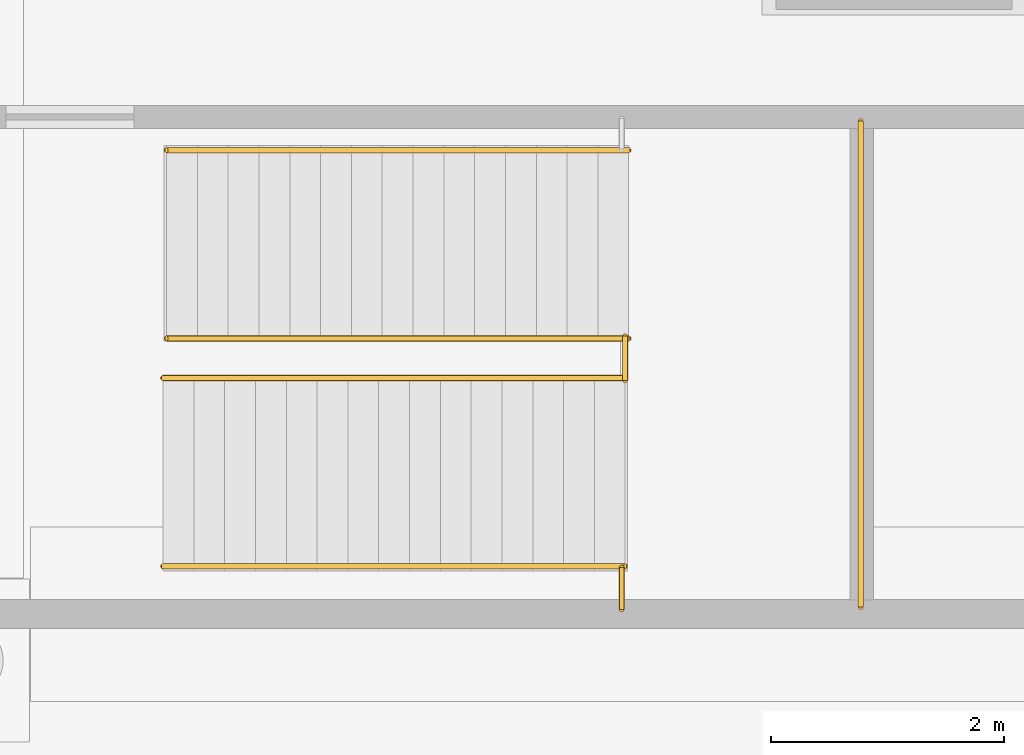
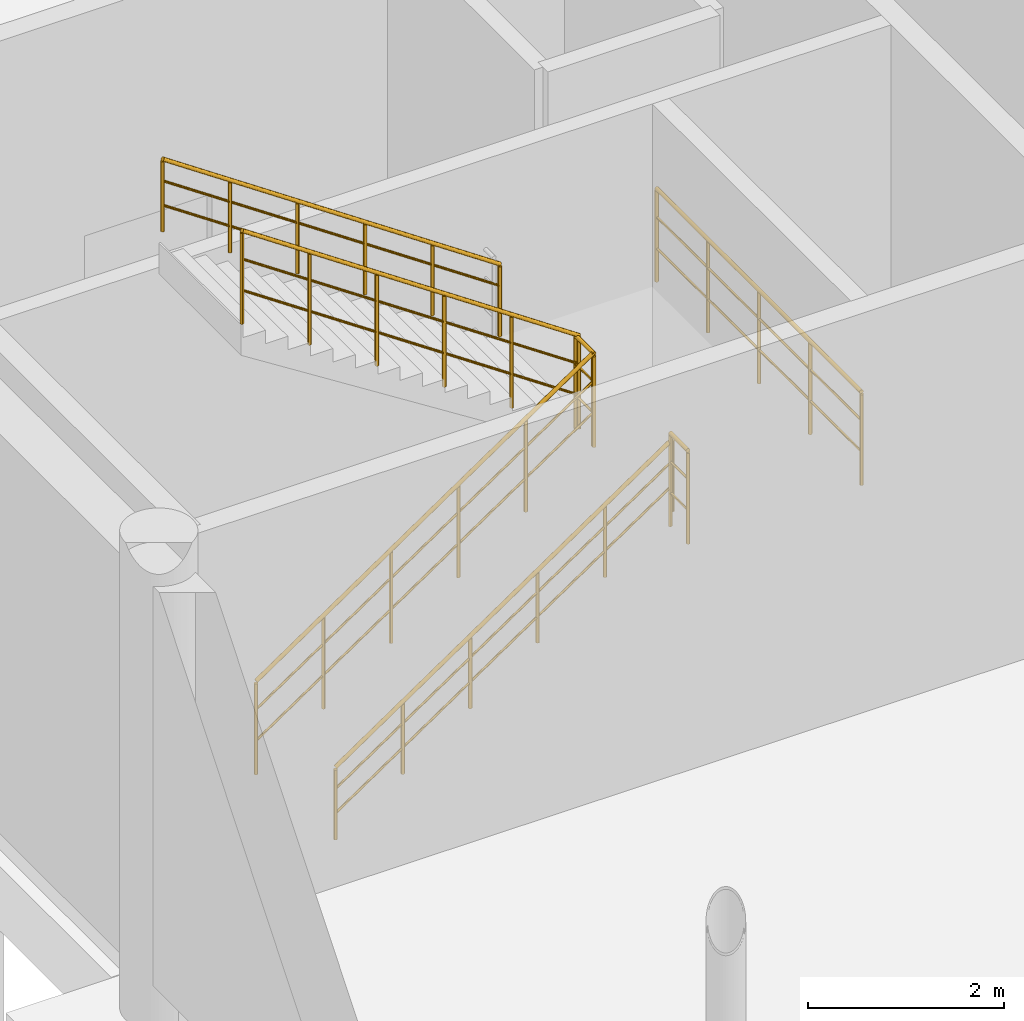
# One storey, part 36 of 42: 7 railings.
"""IFC4 building model written with IfcOpenShell, lengths in metres."""

from ifc_helpers import new_model, si_unit, direction, frame, origin, origin_2d, place, context, subcontext, project, spatial, circle, extrude, material, layer, layer_set, type_object, element, save


model = new_model("IFC4")

# Units and contexts
model_context = context("Model", 3, precision=1e-05, world=origin(), true_north=direction((0.0, 1.0)))
body_context = subcontext(model_context, "Body", "Model", "MODEL_VIEW")
ifc_project = project(units=[si_unit("LENGTHUNIT", "METRE"), si_unit("AREAUNIT", "SQUARE_METRE"), si_unit("VOLUMEUNIT", "CUBIC_METRE"), si_unit("PLANEANGLEUNIT", "RADIAN"), si_unit("MASSUNIT", "GRAM", prefix="KILO"), si_unit("THERMODYNAMICTEMPERATUREUNIT", "KELVIN"), si_unit("POWERUNIT", "WATT")], contexts=[model_context])

# Site, building, storey
site_placement = place(None, origin())
site = spatial("IfcSite", under=ifc_project, at=site_placement, CompositionType="ELEMENT")
building_placement = place(site_placement, origin())
building = spatial("IfcBuilding", under=site, at=building_placement, Name="Solmara Park Aquatics Centre", CompositionType="ELEMENT")
storey_placement = place(building_placement, frame((0.0, 0.0, -5.39990234375)))
storey = spatial("IfcBuildingStorey", under=building, at=storey_placement, Name="B1", CompositionType="ELEMENT", Elevation=-5.39990234375)

# Railings
ifc_material_1 = material(Name="Brushed Marine-Grade Stainless Steel 316L Handrail", Category="steel")
ifc_layer_1 = layer(ifc_material_1, 0.044921875, Name="Brushed Marine-Grade Stainless Steel 316L Handrail")
ifc_layer_set_1 = layer_set([ifc_layer_1], Name="Brushed Marine-Grade Stainless Steel 316L Handrail")
railing_type_1 = type_object("IfcRailingType", Name="ARC-RL-HND090", PredefinedType="HANDRAIL", material=ifc_layer_set_1)
railing_1_placement = place(storey_placement, frame((27.14990234375, 62.81005859375, 0.168701171875)))
element("IfcRailing", 1, at=railing_1_placement, inside=storey, type_object=railing_type_1, Name="ST-04 Protected Exit Stair (B1 to L00) Flight 1 Outer Handrail", PredefinedType="HANDRAIL", context=body_context, shape_type="SweptSolid", body=[
    extrude(circle(Radius=0.02392578125, at=origin_2d()), frame((0.0, 0.0, 0.89599609375), z_axis=(0.827227830126, 0.0, 0.561866636369), x_axis=(0.0, 1.0, 0.0)), (0.0, 0.0, 1.0), 4.805419921875),
    extrude(circle(Radius=0.01416015625, at=origin_2d()), frame((0.0, 0.0, 0.322021484375), z_axis=(0.827227830126, 0.0, 0.561866636369), x_axis=(0.0, 1.0, 0.0)), (0.0, 0.0, 1.0), 4.805419921875),
    extrude(circle(Radius=0.01416015625, at=origin_2d()), frame((0.0, 0.0, 0.62548828125), z_axis=(0.827227830126, 0.0, 0.561866636369), x_axis=(0.0, 1.0, 0.0)), (0.0, 0.0, 1.0), 4.805419921875),
    extrude(circle(Radius=0.02099609375, at=origin_2d()), origin(), (0.0, 0.0, 1.0), 0.871826171875),
    extrude(circle(Radius=0.02099609375, at=origin_2d()), frame((0.794921875, 0.0, 0.5400390625)), (0.0, 0.0, 1.0), 0.871826171875),
    extrude(circle(Radius=0.02099609375, at=origin_2d()), frame((1.590087890625, 0.0, 1.080078125)), (0.0, 0.0, 1.0), 0.871826171875),
    extrude(circle(Radius=0.02099609375, at=origin_2d()), frame((2.385009765625, 0.0, 1.619873046875)), (0.0, 0.0, 1.0), 0.871826171875),
    extrude(circle(Radius=0.02099609375, at=origin_2d()), frame((3.18017578125, 0.0, 2.159912109375)), (0.0, 0.0, 1.0), 0.871826171875),
    extrude(circle(Radius=0.02099609375, at=origin_2d()), frame((3.97509765625, 0.0, 2.699951171875)), (0.0, 0.0, 1.0), 0.871826171875),
])
railing_2_placement = place(storey_placement, frame((31.155029296875, 66.389892578125, 2.86865234375)))
element("IfcRailing", 2, at=railing_2_placement, inside=storey, type_object=railing_type_1, Name="ST-04 Protected Exit Stair (B1 to L00) Flight 2 Outer Handrail", PredefinedType="HANDRAIL", context=body_context, shape_type="SweptSolid", body=[
    extrude(circle(Radius=0.02392578125, at=origin_2d()), frame((0.0, 0.0, 0.89599609375), z_axis=(-0.827227830126, 0.0, 0.561866636369), x_axis=(0.0, -1.0, 0.0)), (0.0, 0.0, 1.0), 4.805419921875),
    extrude(circle(Radius=0.01416015625, at=origin_2d()), frame((0.0, 0.0, 0.322021484375), z_axis=(-0.827227830126, 0.0, 0.561866636369), x_axis=(0.0, -1.0, 0.0)), (0.0, 0.0, 1.0), 4.805419921875),
    extrude(circle(Radius=0.01416015625, at=origin_2d()), frame((0.0, 0.0, 0.62548828125), z_axis=(-0.827227830126, 0.0, 0.561866636369), x_axis=(0.0, -1.0, 0.0)), (0.0, 0.0, 1.0), 4.805419921875),
    extrude(circle(Radius=0.02099609375, at=origin_2d()), origin(), (0.0, 0.0, 1.0), 0.871826171875),
    extrude(circle(Radius=0.02099609375, at=origin_2d()), frame((-0.794921875, 0.0, 0.5400390625)), (0.0, 0.0, 1.0), 0.871826171875),
    extrude(circle(Radius=0.02099609375, at=origin_2d()), frame((-1.590087890625, 0.0, 1.080078125)), (0.0, 0.0, 1.0), 0.871826171875),
    extrude(circle(Radius=0.02099609375, at=origin_2d()), frame((-2.385009765625, 0.0, 1.619873046875)), (0.0, 0.0, 1.0), 0.871826171875),
    extrude(circle(Radius=0.02099609375, at=origin_2d()), frame((-3.18017578125, 0.0, 2.159912109375)), (0.0, 0.0, 1.0), 0.871826171875),
    extrude(circle(Radius=0.02099609375, at=origin_2d()), frame((-3.97509765625, 0.0, 2.699951171875)), (0.0, 0.0, 1.0), 0.871826171875),
])
ifc_material_2 = material(Name="Brushed Stainless Steel Guardrail", Category="steel")
ifc_layer_2 = layer(ifc_material_2, 0.050048828125, Name="Brushed Stainless Steel Guardrail")
ifc_layer_set_2 = layer_set([ifc_layer_2], Name="Brushed Stainless Steel Guardrail")
railing_type_2 = type_object("IfcRailingType", Name="ARC-RL-STR110", PredefinedType="GUARDRAIL", material=ifc_layer_set_2)
railing_3_placement = place(storey_placement, frame((27.14990234375, 64.429931640625, 0.0)))
element("IfcRailing", 3, at=railing_3_placement, inside=storey, type_object=railing_type_2, Name="ST-04 Protected Exit Stair (B1 to L00) Flight 1 Inner Guardrail", PredefinedType="GUARDRAIL", context=body_context, shape_type="SweptSolid", body=[
    extrude(circle(Radius=0.02392578125, at=origin_2d()), frame((0.0, 0.0, 1.15576171875), z_axis=(0.827227830126, 0.0, 0.561866636369), x_axis=(0.0, 1.0, 0.0)), (0.0, 0.0, 1.0), 4.805419921875),
    extrude(circle(Radius=0.01416015625, at=origin_2d()), frame((0.0, 0.0, 0.4130859375), z_axis=(0.827227830126, 0.0, 0.561866636369), x_axis=(0.0, 1.0, 0.0)), (0.0, 0.0, 1.0), 4.805419921875),
    extrude(circle(Radius=0.01416015625, at=origin_2d()), frame((0.0, 0.0, 0.80224609375), z_axis=(0.827227830126, 0.0, 0.561866636369), x_axis=(0.0, 1.0, 0.0)), (0.0, 0.0, 1.0), 4.805419921875),
    extrude(circle(Radius=0.02099609375, at=origin_2d()), origin(), (0.0, 0.0, 1.0), 1.1318359375),
    extrude(circle(Radius=0.02099609375, at=origin_2d()), frame((0.794921875, 0.0, 0.5400390625)), (0.0, 0.0, 1.0), 1.1318359375),
    extrude(circle(Radius=0.02099609375, at=origin_2d()), frame((1.590087890625, 0.0, 1.080078125)), (0.0, 0.0, 1.0), 1.1318359375),
    extrude(circle(Radius=0.02099609375, at=origin_2d()), frame((2.385009765625, 0.0, 1.619873046875)), (0.0, 0.0, 1.0), 1.1318359375),
    extrude(circle(Radius=0.02099609375, at=origin_2d()), frame((3.18017578125, 0.0, 2.159912109375)), (0.0, 0.0, 1.0), 1.1318359375),
    extrude(circle(Radius=0.02099609375, at=origin_2d()), frame((3.97509765625, 0.0, 2.699951171875)), (0.0, 0.0, 1.0), 1.1318359375),
])
railing_4_placement = place(storey_placement, frame((31.155029296875, 64.77001953125, 2.699951171875)))
element("IfcRailing", 4, at=railing_4_placement, inside=storey, type_object=railing_type_2, Name="ST-04 Protected Exit Stair (B1 to L00) Flight 2 Inner Guardrail", PredefinedType="GUARDRAIL", context=body_context, shape_type="SweptSolid", body=[
    extrude(circle(Radius=0.02392578125, at=origin_2d()), frame((0.0, 0.0, 1.15576171875), z_axis=(-0.827227830126, 0.0, 0.561866636369), x_axis=(0.0, -1.0, 0.0)), (0.0, 0.0, 1.0), 4.805419921875),
    extrude(circle(Radius=0.01416015625, at=origin_2d()), frame((0.0, 0.0, 0.4130859375), z_axis=(-0.827227830126, 0.0, 0.561866636369), x_axis=(0.0, -1.0, 0.0)), (0.0, 0.0, 1.0), 4.805419921875),
    extrude(circle(Radius=0.01416015625, at=origin_2d()), frame((0.0, 0.0, 0.80224609375), z_axis=(-0.827227830126, 0.0, 0.561866636369), x_axis=(0.0, -1.0, 0.0)), (0.0, 0.0, 1.0), 4.805419921875),
    extrude(circle(Radius=0.02099609375, at=origin_2d()), origin(), (0.0, 0.0, 1.0), 1.1318359375),
    extrude(circle(Radius=0.02099609375, at=origin_2d()), frame((-0.794921875, 0.0, 0.5400390625)), (0.0, 0.0, 1.0), 1.1318359375),
    extrude(circle(Radius=0.02099609375, at=origin_2d()), frame((-1.590087890625, 0.0, 1.080078125)), (0.0, 0.0, 1.0), 1.1318359375),
    extrude(circle(Radius=0.02099609375, at=origin_2d()), frame((-2.385009765625, 0.0, 1.619873046875)), (0.0, 0.0, 1.0), 1.1318359375),
    extrude(circle(Radius=0.02099609375, at=origin_2d()), frame((-3.18017578125, 0.0, 2.159912109375)), (0.0, 0.0, 1.0), 1.1318359375),
    extrude(circle(Radius=0.02099609375, at=origin_2d()), frame((-3.97509765625, 0.0, 2.699951171875)), (0.0, 0.0, 1.0), 1.1318359375),
])
railing_5_placement = place(storey_placement, frame((31.125, 64.409912109375, 2.699951171875)))
element("IfcRailing", 5, at=railing_5_placement, inside=storey, type_object=railing_type_2, Name="ST-04 Protected Exit Stair (B1 to L00) Half-Landing Well Guardrail", PredefinedType="GUARDRAIL", context=body_context, shape_type="SweptSolid", body=[
    extrude(circle(Radius=0.02392578125, at=origin_2d()), frame((0.0, 0.0, 1.15576171875), z_axis=(0.0, 1.0, 0.0), x_axis=(-1.0, 0.0, 0.0)), (0.0, 0.0, 1.0), 0.380126953125),
    extrude(circle(Radius=0.01416015625, at=origin_2d()), frame((0.0, 0.0, 0.4130859375), z_axis=(0.0, 1.0, 0.0), x_axis=(-1.0, 0.0, 0.0)), (0.0, 0.0, 1.0), 0.380126953125),
    extrude(circle(Radius=0.01416015625, at=origin_2d()), frame((0.0, 0.0, 0.80224609375), z_axis=(0.0, 1.0, 0.0), x_axis=(-1.0, 0.0, 0.0)), (0.0, 0.0, 1.0), 0.380126953125),
    extrude(circle(Radius=0.02099609375, at=origin_2d()), origin(), (0.0, 0.0, 1.0), 1.1318359375),
    extrude(circle(Radius=0.02099609375, at=origin_2d()), frame((0.0, 0.380126953125, 0.0)), (0.0, 0.0, 1.0), 1.1318359375),
])
railing_6_placement = place(storey_placement, frame((31.094970703125, 62.43994140625, 2.699951171875)))
element("IfcRailing", 6, at=railing_6_placement, inside=storey, type_object=railing_type_2, Name="ST-04 Protected Exit Stair (B1 to L00) Half-Landing South Slot Guardrail", PredefinedType="GUARDRAIL", context=body_context, shape_type="SweptSolid", body=[
    extrude(circle(Radius=0.02392578125, at=origin_2d()), frame((0.0, 0.0, 1.15576171875), z_axis=(0.0, 1.0, 0.0), x_axis=(-1.0, 0.0, 0.0)), (0.0, 0.0, 1.0), 0.360107421875),
    extrude(circle(Radius=0.01416015625, at=origin_2d()), frame((0.0, 0.0, 0.4130859375), z_axis=(0.0, 1.0, 0.0), x_axis=(-1.0, 0.0, 0.0)), (0.0, 0.0, 1.0), 0.360107421875),
    extrude(circle(Radius=0.01416015625, at=origin_2d()), frame((0.0, 0.0, 0.80224609375), z_axis=(0.0, 1.0, 0.0), x_axis=(-1.0, 0.0, 0.0)), (0.0, 0.0, 1.0), 0.360107421875),
    extrude(circle(Radius=0.02099609375, at=origin_2d()), origin(), (0.0, 0.0, 1.0), 1.1318359375),
    extrude(circle(Radius=0.02099609375, at=origin_2d()), frame((0.0, 0.360107421875, 0.0)), (0.0, 0.0, 1.0), 1.1318359375),
])
railing_7_placement = place(storey_placement, frame((33.14990234375, 62.4599609375, 2.699951171875)))
element("IfcRailing", 7, at=railing_7_placement, inside=storey, type_object=railing_type_2, Name="ST-04 Protected Exit Stair (B1 to L00) Half-Landing Outer Guardrail", PredefinedType="GUARDRAIL", context=body_context, shape_type="SweptSolid", body=[
    extrude(circle(Radius=0.02392578125, at=origin_2d()), frame((0.0, 0.0, 1.15576171875), z_axis=(0.0, 1.0, 0.0), x_axis=(-1.0, 0.0, 0.0)), (0.0, 0.0, 1.0), 4.179931640625),
    extrude(circle(Radius=0.01416015625, at=origin_2d()), frame((0.0, 0.0, 0.4130859375), z_axis=(0.0, 1.0, 0.0), x_axis=(-1.0, 0.0, 0.0)), (0.0, 0.0, 1.0), 4.179931640625),
    extrude(circle(Radius=0.01416015625, at=origin_2d()), frame((0.0, 0.0, 0.80224609375), z_axis=(0.0, 1.0, 0.0), x_axis=(-1.0, 0.0, 0.0)), (0.0, 0.0, 1.0), 4.179931640625),
    extrude(circle(Radius=0.02099609375, at=origin_2d()), origin(), (0.0, 0.0, 1.0), 1.1318359375),
    extrude(circle(Radius=0.02099609375, at=origin_2d()), frame((0.0, 1.044921875, 0.0)), (0.0, 0.0, 1.0), 1.1318359375),
    extrude(circle(Radius=0.02099609375, at=origin_2d()), frame((0.0, 2.08984375, 0.0)), (0.0, 0.0, 1.0), 1.1318359375),
    extrude(circle(Radius=0.02099609375, at=origin_2d()), frame((0.0, 3.135009765625, 0.0)), (0.0, 0.0, 1.0), 1.1318359375),
    extrude(circle(Radius=0.02099609375, at=origin_2d()), frame((0.0, 4.179931640625, 0.0)), (0.0, 0.0, 1.0), 1.1318359375),
])

save(model, "model.ifc")
